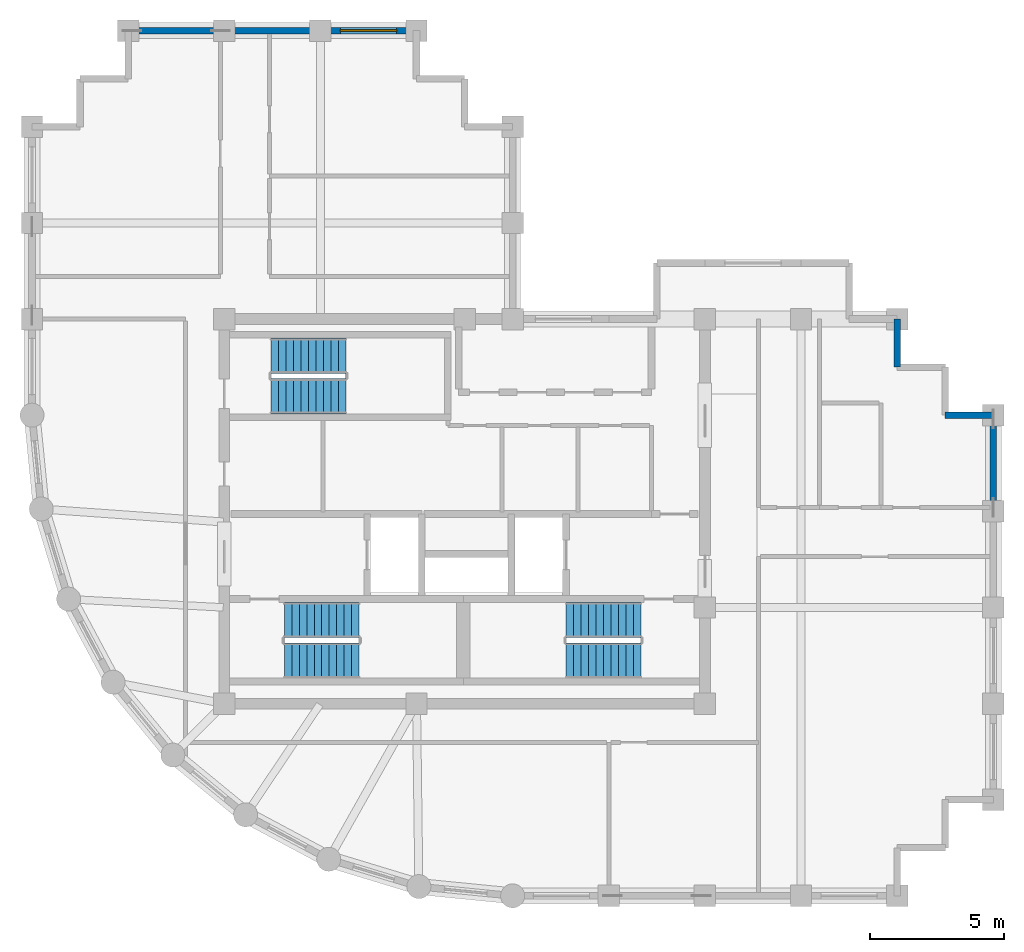
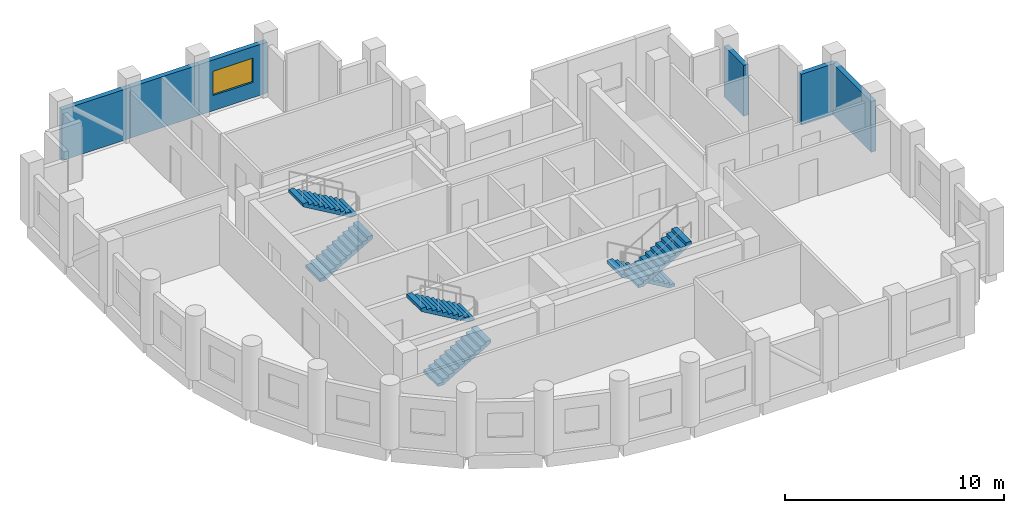
# One storey, part 5 of 6: 6 stair flights, 6 walls, 1 window, 1 opening, 3 elements without a shape of their own.
"""IFC4 building model written with IfcOpenShell, lengths in metres."""

from ifc_helpers import new_model, si_unit, direction, frame, frame_2d, origin, place, context, subcontext, project, spatial, polyline, rectangle, outline, extrude, material, layer, layer_set, type_object, element, fill, aggregate, save


model = new_model("IFC4")

# Units and contexts
model_context = context("Model", 3, precision=1e-05, world=origin(), true_north=direction((0.0, 1.0)))
body_context = subcontext(model_context, "Body", "Model", "MODEL_VIEW")
ifc_project = project(units=[si_unit("LENGTHUNIT", "METRE"), si_unit("AREAUNIT", "SQUARE_METRE"), si_unit("VOLUMEUNIT", "CUBIC_METRE"), si_unit("PLANEANGLEUNIT", "RADIAN"), si_unit("MASSUNIT", "GRAM", prefix="KILO")], contexts=[model_context])

# Site, building, storey
site_placement = place(None, origin())
site = spatial("IfcSite", under=ifc_project, at=site_placement, CompositionType="ELEMENT")
building_placement = place(site_placement, origin())
building = spatial("IfcBuilding", under=site, at=building_placement, Name="Solnavia Interchange Tower", CompositionType="ELEMENT")
storey_placement = place(building_placement, frame((0.0, 0.0, 246.199951171875)))
storey = spatial("IfcBuildingStorey", under=building, at=storey_placement, Name="L62", CompositionType="ELEMENT", Elevation=246.199951171875)

# Walls
ifc_material_1 = material(Name="Concrete C40/50", Category="concrete")
ifc_layer = layer(ifc_material_1, 0.25)
ifc_layer_set = layer_set([ifc_layer], Name="Concrete C40/50")
wall_type = type_object("IfcWallType", Name="Wall-ExtSpandrel-250", PredefinedType="STANDARD", material=ifc_layer_set)
wall_1_placement = place(storey_placement, frame((43.199951171875, 21.60009765625, 0.0), z_axis=(0.0, 0.0, 1.0), x_axis=(0.0, -1.0, 0.0)))
element("IfcWall", 1, at=wall_1_placement, inside=storey, type_object=wall_type, Name="EXW-L62-12 Exterior precast spandrel wall", PredefinedType="STANDARD", context=body_context, shape_type="SweptSolid", body=[
    extrude(rectangle(XDim=3.60009765625, YDim=0.25, at=frame_2d((1.800048828125, 0.0))), origin(), (0.0, 0.0, 1.0), 2.830078125),
])
for number, where, z_axis, x_axis, name in (
    (2, (41.39990234375, 21.60009765625, 0.0), (0.0, 0.0, 1.0), (1.0, 0.0, 0.0), "EXW-L62-13 Exterior precast spandrel wall"),
    (3, (39.60009765625, 25.199951171875, 0.0), (0.0, 0.0, 1.0), (0.0, -1.0, 0.0), "EXW-L62-16 Exterior precast spandrel wall"),
):
    element("IfcWall", number, at=place(storey_placement, frame(where, z_axis=z_axis, x_axis=x_axis)), inside=storey, type_object=wall_type, Name=name, PredefinedType="STANDARD", context=body_context, shape_type="SweptSolid", body=[
        extrude(rectangle(XDim=1.800048828125, YDim=0.25, at=frame_2d((0.89990234375, 0.0))), origin(), (0.0, 0.0, 1.0), 2.830078125),
    ])

# Wall, opening, window
wall_2_placement = place(storey_placement, frame((18.0, 36.0, 0.0), z_axis=(0.0, 0.0, 1.0), x_axis=(1.0, 0.0, 0.0)))
wall_2 = element("IfcWall", 4, at=wall_2_placement, inside=storey, type_object=wall_type, Name="EXW-L62-31 Exterior precast spandrel wall", PredefinedType="STANDARD", context=body_context, shape_type="SweptSolid", body=[
    extrude(rectangle(XDim=3.60009765625, YDim=0.25, at=frame_2d((1.800048828125, 0.0))), origin(), (0.0, 0.0, 1.0), 2.830078125),
])
opening_placement = place(wall_2_placement, frame((0.75, 0.0, 0.85009765625)))
opening = element("IfcOpeningElement", 5, at=opening_placement, cuts=wall_2, Name="Opening WIN-01", PredefinedType="OPENING", context=body_context, shape_type="SweptSolid", body=[
    extrude(rectangle(XDim=2.10009765625, YDim=1.35009765625, at=frame_2d((1.050048828125, 0.675048828125))), frame((0.0, 0.135009765625, 0.0), z_axis=(0.0, -1.0, 0.0), x_axis=(1.0, 0.0, 0.0)), (0.0, 0.0, 1.0), 0.27001953125),
])
ifc_material_2 = material(Name="Thermal-Break Aluminium & Low-E Glass", Category="aluminium")
window_type = type_object("IfcWindowType", Name="Window-Ribbon-2100x1350", PartitioningType="SINGLE_PANEL", PredefinedType="WINDOW", material=ifc_material_2)
window_placement = place(opening_placement, origin())
window = element("IfcWindow", 6, at=window_placement, inside=storey, type_object=window_type, Name="WIN-L62-31 Facade ribbon window", OverallHeight=1.35009765625, OverallWidth=2.10009765625, PartitioningType="SINGLE_PANEL", PredefinedType="WINDOW", context=body_context, shape_type="SweptSolid", body=[
    extrude(rectangle(XDim=2.10009765625, YDim=1.35009765625, at=frame_2d((1.050048828125, 0.675048828125))), frame((0.0, 0.030029296875, 0.0), z_axis=(0.0, -1.0, 0.0), x_axis=(1.0, 0.0, 0.0)), (0.0, 0.0, 1.0), 0.06005859375),
])
fill(opening, window)

# Walls
wall_3_placement = place(storey_placement, frame((14.39990234375, 36.0, 0.0), z_axis=(0.0, 0.0, 1.0), x_axis=(1.0, 0.0, 0.0)))
element("IfcWall", 7, at=wall_3_placement, inside=storey, type_object=wall_type, Name="EXW-L62-32 Exterior precast spandrel wall", PredefinedType="STANDARD", context=body_context, shape_type="SweptSolid", body=[
    extrude(rectangle(XDim=3.60009765625, YDim=0.25, at=frame_2d((1.800048828125, 0.0))), origin(), (0.0, 0.0, 1.0), 2.830078125),
])
wall_4_placement = place(storey_placement, frame((10.800048828125, 36.0, 0.0), z_axis=(0.0, 0.0, 1.0), x_axis=(1.0, 0.0, 0.0)))
element("IfcWall", 8, at=wall_4_placement, inside=storey, type_object=wall_type, Name="EXW-L62-33 Exterior precast spandrel wall", PredefinedType="STANDARD", context=body_context, shape_type="SweptSolid", body=[
    extrude(rectangle(XDim=3.599853515625, YDim=0.25, at=frame_2d((1.7998046875, 0.0))), origin(), (0.0, 0.0, 1.0), 2.830078125),
])

# Stair, stair flights
stair_type = type_object("IfcStairType", Name="Stair-Dogleg-RC", PredefinedType="HALF_TURN_STAIR", material=ifc_material_1)
stair_1_placement = place(storey_placement, origin())
stair_1 = element("IfcStair", 9, at=stair_1_placement, inside=storey, type_object=stair_type, Name="L62 Core exit stair 1", PredefinedType="HALF_TURN_STAIR")
stair_flight_type = type_object("IfcStairFlightType", Name="StairFlight-RC-150", PredefinedType="STRAIGHT", material=ifc_material_1)
stair_flight_1_placement = place(storey_placement, frame((16.64990234375, 12.409912109375, 0.0), z_axis=(0.0, 0.0, 1.0), x_axis=(1.0, 0.0, 0.0)))
stair_flight_1 = element("IfcStairFlight", 10, at=stair_flight_1_placement, type_object=stair_flight_type, Name="ST-1 flight 1", NumberOfRisers=11, NumberOfTreads=10, PredefinedType="STRAIGHT", RiserHeight=0.163636364, TreadLength=0.28, context=body_context, shape_type="SweptSolid", body=[
    extrude(outline(polyline([(0.0, 0.0), (0.0, 0.16357421875), (0.280029296875, 0.16357421875), (0.280029296875, 0.327392578125), (0.56005859375, 0.327392578125), (0.56005859375, 0.490966796875), (0.840087890625, 0.490966796875), (0.840087890625, 0.654541015625), (1.1201171875, 0.654541015625), (1.1201171875, 0.818115234375), (1.39990234375, 0.818115234375), (1.39990234375, 0.98193359375), (1.679931640625, 0.98193359375), (1.679931640625, 1.1455078125), (1.9599609375, 1.1455078125), (1.9599609375, 1.30908203125), (2.239990234375, 1.30908203125), (2.239990234375, 1.47265625), (2.52001953125, 1.47265625), (2.52001953125, 1.636474609375), (2.800048828125, 1.636474609375), (2.800048828125, 1.800048828125), (2.800048828125, 1.462646484375), (0.297119140625, 0.0), (0.0, 0.0)])), frame((0.0, 0.66015625, 0.0), z_axis=(0.0, -1.0, 0.0), x_axis=(1.0, 0.0, 0.0)), (0.0, 0.0, 1.0), 1.320068359375),
])
stair_flight_2_placement = place(storey_placement, frame((19.449951171875, 13.929931640625, 1.800048828125), z_axis=(0.0, 0.0, 1.0), x_axis=(-1.0, 0.0, 0.0)))
stair_flight_2 = element("IfcStairFlight", 11, at=stair_flight_2_placement, type_object=stair_flight_type, Name="ST-1 flight 2", NumberOfRisers=11, NumberOfTreads=10, PredefinedType="STRAIGHT", RiserHeight=0.163636364, TreadLength=0.28, context=body_context, shape_type="SweptSolid", body=[
    extrude(outline(polyline([(0.0, 0.0), (0.0, 0.16357421875), (0.280029296875, 0.16357421875), (0.280029296875, 0.327392578125), (0.56005859375, 0.327392578125), (0.56005859375, 0.490966796875), (0.840087890625, 0.490966796875), (0.840087890625, 0.654541015625), (1.1201171875, 0.654541015625), (1.1201171875, 0.818115234375), (1.39990234375, 0.818115234375), (1.39990234375, 0.98193359375), (1.679931640625, 0.98193359375), (1.679931640625, 1.1455078125), (1.9599609375, 1.1455078125), (1.9599609375, 1.30908203125), (2.239990234375, 1.30908203125), (2.239990234375, 1.47265625), (2.52001953125, 1.47265625), (2.52001953125, 1.636474609375), (2.800048828125, 1.636474609375), (2.800048828125, 1.800048828125), (2.800048828125, 1.462646484375), (0.297119140625, 0.0), (0.0, 0.0)])), frame((0.0, 0.66015625, 0.0), z_axis=(0.0, -1.0, 0.0), x_axis=(1.0, 0.0, 0.0)), (0.0, 0.0, 1.0), 1.320068359375),
])
aggregate(stair_1, [stair_flight_1, stair_flight_2])

stair_2_placement = place(storey_placement, origin())
stair_2 = element("IfcStair", 12, at=stair_2_placement, inside=storey, type_object=stair_type, Name="L62 Core exit stair 2", PredefinedType="HALF_TURN_STAIR")
stair_flight_3_placement = place(storey_placement, frame((30.0, 13.929931640625, 0.0), z_axis=(0.0, 0.0, 1.0), x_axis=(-1.0, 0.0, 0.0)))
stair_flight_3 = element("IfcStairFlight", 13, at=stair_flight_3_placement, type_object=stair_flight_type, Name="ST-2 flight 1", NumberOfRisers=11, NumberOfTreads=10, PredefinedType="STRAIGHT", RiserHeight=0.163636364, TreadLength=0.28, context=body_context, shape_type="SweptSolid", body=[
    extrude(outline(polyline([(0.0, 0.0), (0.0, 0.16357421875), (0.280029296875, 0.16357421875), (0.280029296875, 0.327392578125), (0.56005859375, 0.327392578125), (0.56005859375, 0.490966796875), (0.840087890625, 0.490966796875), (0.840087890625, 0.654541015625), (1.1201171875, 0.654541015625), (1.1201171875, 0.818115234375), (1.39990234375, 0.818115234375), (1.39990234375, 0.98193359375), (1.679931640625, 0.98193359375), (1.679931640625, 1.1455078125), (1.9599609375, 1.1455078125), (1.9599609375, 1.30908203125), (2.239990234375, 1.30908203125), (2.239990234375, 1.47265625), (2.52001953125, 1.47265625), (2.52001953125, 1.636474609375), (2.800048828125, 1.636474609375), (2.800048828125, 1.800048828125), (2.800048828125, 1.462646484375), (0.297119140625, 0.0), (0.0, 0.0)])), frame((0.0, 0.66015625, 0.0), z_axis=(0.0, -1.0, 0.0), x_axis=(1.0, 0.0, 0.0)), (0.0, 0.0, 1.0), 1.320068359375),
])
stair_flight_4_placement = place(storey_placement, frame((27.199951171875, 12.409912109375, 1.800048828125), z_axis=(0.0, 0.0, 1.0), x_axis=(1.0, 0.0, 0.0)))
stair_flight_4 = element("IfcStairFlight", 14, at=stair_flight_4_placement, type_object=stair_flight_type, Name="ST-2 flight 2", NumberOfRisers=11, NumberOfTreads=10, PredefinedType="STRAIGHT", RiserHeight=0.163636364, TreadLength=0.28, context=body_context, shape_type="SweptSolid", body=[
    extrude(outline(polyline([(0.0, 0.0), (0.0, 0.16357421875), (0.280029296875, 0.16357421875), (0.280029296875, 0.327392578125), (0.56005859375, 0.327392578125), (0.56005859375, 0.490966796875), (0.840087890625, 0.490966796875), (0.840087890625, 0.654541015625), (1.1201171875, 0.654541015625), (1.1201171875, 0.818115234375), (1.39990234375, 0.818115234375), (1.39990234375, 0.98193359375), (1.679931640625, 0.98193359375), (1.679931640625, 1.1455078125), (1.9599609375, 1.1455078125), (1.9599609375, 1.30908203125), (2.239990234375, 1.30908203125), (2.239990234375, 1.47265625), (2.52001953125, 1.47265625), (2.52001953125, 1.636474609375), (2.800048828125, 1.636474609375), (2.800048828125, 1.800048828125), (2.800048828125, 1.462646484375), (0.297119140625, 0.0), (0.0, 0.0)])), frame((0.0, 0.66015625, 0.0), z_axis=(0.0, -1.0, 0.0), x_axis=(1.0, 0.0, 0.0)), (0.0, 0.0, 1.0), 1.320068359375),
])
aggregate(stair_2, [stair_flight_3, stair_flight_4])

stair_3_placement = place(storey_placement, origin())
stair_3 = element("IfcStair", 15, at=stair_3_placement, inside=storey, type_object=stair_type, Name="L62 Core exit stair 3", PredefinedType="HALF_TURN_STAIR")
stair_flight_5_placement = place(storey_placement, frame((16.14990234375, 22.31005859375, 0.0), z_axis=(0.0, 0.0, 1.0), x_axis=(1.0, 0.0, 0.0)))
stair_flight_5 = element("IfcStairFlight", 16, at=stair_flight_5_placement, type_object=stair_flight_type, Name="ST-3 flight 1", NumberOfRisers=11, NumberOfTreads=10, PredefinedType="STRAIGHT", RiserHeight=0.163636364, TreadLength=0.28, context=body_context, shape_type="SweptSolid", body=[
    extrude(outline(polyline([(0.0, 0.0), (0.0, 0.16357421875), (0.280029296875, 0.16357421875), (0.280029296875, 0.327392578125), (0.56005859375, 0.327392578125), (0.56005859375, 0.490966796875), (0.840087890625, 0.490966796875), (0.840087890625, 0.654541015625), (1.1201171875, 0.654541015625), (1.1201171875, 0.818115234375), (1.39990234375, 0.818115234375), (1.39990234375, 0.98193359375), (1.679931640625, 0.98193359375), (1.679931640625, 1.1455078125), (1.9599609375, 1.1455078125), (1.9599609375, 1.30908203125), (2.239990234375, 1.30908203125), (2.239990234375, 1.47265625), (2.52001953125, 1.47265625), (2.52001953125, 1.636474609375), (2.800048828125, 1.636474609375), (2.800048828125, 1.800048828125), (2.800048828125, 1.462646484375), (0.297119140625, 0.0), (0.0, 0.0)])), frame((0.0, 0.66015625, 0.0), z_axis=(0.0, -1.0, 0.0), x_axis=(1.0, 0.0, 0.0)), (0.0, 0.0, 1.0), 1.320068359375),
])
stair_flight_6_placement = place(storey_placement, frame((18.949951171875, 23.830078125, 1.800048828125), z_axis=(0.0, 0.0, 1.0), x_axis=(-1.0, 0.0, 0.0)))
stair_flight_6 = element("IfcStairFlight", 17, at=stair_flight_6_placement, type_object=stair_flight_type, Name="ST-3 flight 2", NumberOfRisers=11, NumberOfTreads=10, PredefinedType="STRAIGHT", RiserHeight=0.163636364, TreadLength=0.28, context=body_context, shape_type="SweptSolid", body=[
    extrude(outline(polyline([(0.0, 0.0), (0.0, 0.16357421875), (0.280029296875, 0.16357421875), (0.280029296875, 0.327392578125), (0.56005859375, 0.327392578125), (0.56005859375, 0.490966796875), (0.840087890625, 0.490966796875), (0.840087890625, 0.654541015625), (1.1201171875, 0.654541015625), (1.1201171875, 0.818115234375), (1.39990234375, 0.818115234375), (1.39990234375, 0.98193359375), (1.679931640625, 0.98193359375), (1.679931640625, 1.1455078125), (1.9599609375, 1.1455078125), (1.9599609375, 1.30908203125), (2.239990234375, 1.30908203125), (2.239990234375, 1.47265625), (2.52001953125, 1.47265625), (2.52001953125, 1.636474609375), (2.800048828125, 1.636474609375), (2.800048828125, 1.800048828125), (2.800048828125, 1.462646484375), (0.297119140625, 0.0), (0.0, 0.0)])), frame((0.0, 0.66015625, 0.0), z_axis=(0.0, -1.0, 0.0), x_axis=(1.0, 0.0, 0.0)), (0.0, 0.0, 1.0), 1.320068359375),
])
aggregate(stair_3, [stair_flight_5, stair_flight_6])

save(model, "model.ifc")
